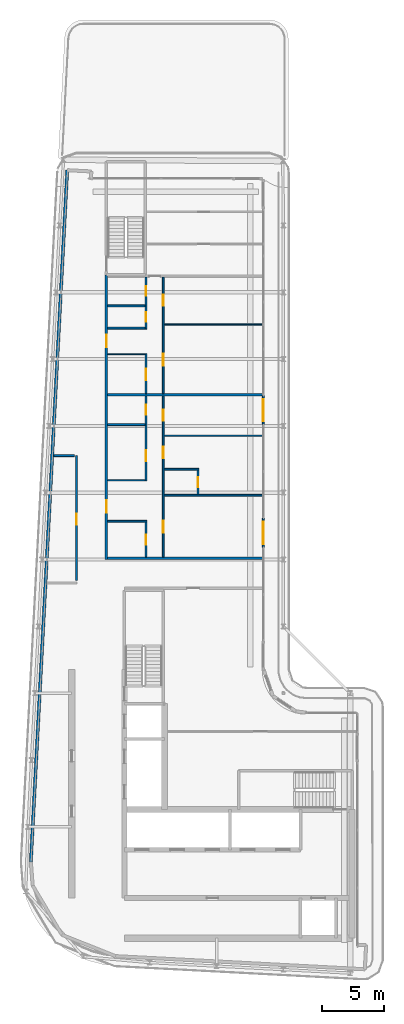
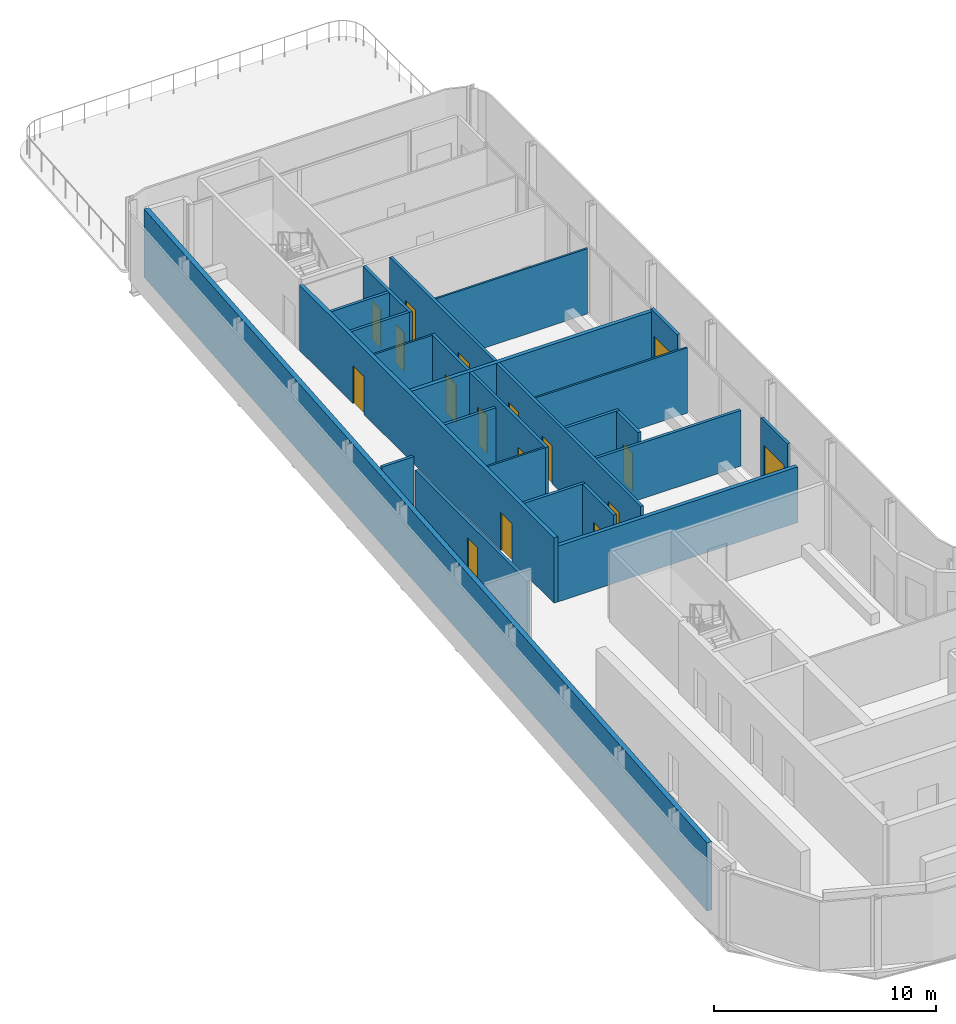
# One storey, part 10 of 15: 25 walls, 17 doors, 17 openings.
"""IFC4 building model written with IfcOpenShell, lengths in metres."""

from ifc_helpers import new_model, si_unit, direction, frame, frame_2d, origin, place, context, subcontext, project, spatial, rectangle, extrude, source, transform, mapped, material, layer, layer_set, type_object, element, fill, save


model = new_model("IFC4")

# Units and contexts
model_context = context("Model", 3, precision=1e-05, world=origin(), true_north=direction((0.0, 1.0)))
body_context = subcontext(model_context, "Body", "Model", "MODEL_VIEW")
ifc_project = project(units=[si_unit("LENGTHUNIT", "METRE"), si_unit("AREAUNIT", "SQUARE_METRE"), si_unit("VOLUMEUNIT", "CUBIC_METRE"), si_unit("PLANEANGLEUNIT", "RADIAN"), si_unit("MASSUNIT", "GRAM", prefix="KILO")], contexts=[model_context])

# Site, building, storey
site_placement = place(None, origin())
site = spatial("IfcSite", under=ifc_project, at=site_placement, CompositionType="ELEMENT")
building_placement = place(site_placement, origin())
building = spatial("IfcBuilding", under=site, at=building_placement, Name="Kheshtan School and Residences Tower", CompositionType="ELEMENT")
storey_placement = place(building_placement, frame((0.0, 0.0, 338.300048828125)))
storey = spatial("IfcBuildingStorey", under=building, at=storey_placement, Name="L79", CompositionType="ELEMENT", Elevation=338.300048828125)

# Wall, openings, doors
ifc_material_1 = material(Name="Gypsum board on steel studs with fire boards", Category="steel")
ifc_layer_1 = layer(ifc_material_1, 0.199951171875)
ifc_layer_set_1 = layer_set([ifc_layer_1], Name="Corridor wall 200")
wall_type_1 = type_object("IfcWallType", Name="Corridor wall 200", PredefinedType="PARTITIONING", material=ifc_layer_set_1)
wall_1_placement = place(storey_placement, frame((33.300048828125, 56.39990234375, 0.0), z_axis=(0.0, 0.0, 1.0), x_axis=(0.0, 1.0, 0.0)))
wall_1 = element("IfcWall", 1, at=wall_1_placement, inside=storey, type_object=wall_type_1, Name="Partition L79-001", PredefinedType="PARTITIONING", context=body_context, shape_type="SweptSolid", body=[
    extrude(rectangle(XDim=22.97509765625, YDim=0.199951171875, at=frame_2d((11.487548828125, 0.0))), origin(), (0.0, 0.0, 1.0), 3.599853515625),
])
opening_1_placement = place(wall_1_placement, frame((3.800048828125, 0.0, 0.0)))
opening_1 = element("IfcOpeningElement", 2, at=opening_1_placement, cuts=wall_1, Name="Opening D79-004", PredefinedType="OPENING", context=body_context, shape_type="SweptSolid", body=[
    extrude(rectangle(XDim=1.0, YDim=2.10009765625, at=frame_2d((0.5, 1.050048828125))), frame((0.0, 0.10986328125, 0.0), z_axis=(0.0, -1.0, 0.0), x_axis=(1.0, 0.0, 0.0)), (0.0, 0.0, 1.0), 0.219970703125),
])
opening_2_placement = place(wall_1_placement, frame((17.14990234375, 0.0, 0.0)))
opening_2 = element("IfcOpeningElement", 3, at=opening_2_placement, cuts=wall_1, Name="Opening D79-011", PredefinedType="OPENING", context=body_context, shape_type="SweptSolid", body=[
    extrude(rectangle(XDim=1.0, YDim=2.10009765625, at=frame_2d((0.5, 1.050048828125))), frame((0.0, 0.10986328125, 0.0), z_axis=(0.0, -1.0, 0.0), x_axis=(1.0, 0.0, 0.0)), (0.0, 0.0, 1.0), 0.219970703125),
])
ifc_material_2 = material(Name="Steel-framed fire-resisting door leaf", Category="steel")
door_type_1 = type_object("IfcDoorType", Name="Fire door FD30S 1000 x 2100", OperationType="SINGLE_SWING_LEFT", PredefinedType="DOOR", material=ifc_material_2)
shared_shape_1 = source(origin(), body_context, "Body", "SweptSolid", [
    extrude(rectangle(XDim=1.0, YDim=2.10009765625, at=frame_2d((0.5, 1.050048828125))), frame((0.0, 0.02490234375, 0.0), z_axis=(0.0, -1.0, 0.0), x_axis=(1.0, 0.0, 0.0)), (0.0, 0.0, 1.0), 0.050048828125),
])
door_1_placement = place(opening_1_placement, origin())
door_1 = element("IfcDoor", 4, at=door_1_placement, inside=storey, type_object=door_type_1, Name="Door D79-004", OperationType="SINGLE_SWING_RIGHT", OverallHeight=2.10009765625, OverallWidth=1.0, PredefinedType="DOOR", context=body_context, shape_type="MappedRepresentation", body=[
    mapped(shared_shape_1, transform((0.0, 0.0, 0.0), x_axis=(1.0, 0.0, 0.0), y_axis=(0.0, 1.0, 0.0), z_axis=(0.0, 0.0, 1.0), scale=1.0)),
])
fill(opening_1, door_1)
door_2_placement = place(opening_2_placement, origin())
door_2 = element("IfcDoor", 5, at=door_2_placement, inside=storey, type_object=door_type_1, Name="Door D79-011", OperationType="SINGLE_SWING_LEFT", OverallHeight=2.10009765625, OverallWidth=1.0, PredefinedType="DOOR", context=body_context, shape_type="MappedRepresentation", body=[
    mapped(shared_shape_1, transform((0.0, 0.0, 0.0), x_axis=(1.0, 0.0, 0.0), y_axis=(0.0, 1.0, 0.0), z_axis=(0.0, 0.0, 1.0), scale=1.0)),
])
fill(opening_2, door_2)

# Walls
wall_2_placement = place(storey_placement, frame((33.39990234375, 56.5, 0.0), z_axis=(0.0, 0.0, 1.0), x_axis=(1.0, 0.0, 0.0)))
element("IfcWall", 6, at=wall_2_placement, inside=storey, type_object=wall_type_1, Name="Partition L79-002", PredefinedType="PARTITIONING", context=body_context, shape_type="SweptSolid", body=[
    extrude(rectangle(XDim=12.5, YDim=0.199951171875, at=frame_2d((6.25, 0.0))), origin(), (0.0, 0.0, 1.0), 3.072021484375),
])
ifc_material_3 = material(Name="Concrete C40/50 with ceramic cladding and mineral wool insulation", Category="concrete")
ifc_layer_2 = layer(ifc_material_3, 0.25)
ifc_layer_set_2 = layer_set([ifc_layer_2], Name="External wall 250 ceramic clad")
wall_type_2 = type_object("IfcWallType", Name="External wall 250 ceramic clad", PredefinedType="SOLIDWALL", material=ifc_layer_set_2)
wall_3_placement = place(storey_placement, frame((27.195068359375, 31.968994140625, 0.0), z_axis=(0.0, 0.0, 1.0), x_axis=(0.052559748861, 0.998617781135, 0.0)))
element("IfcWall", 7, at=wall_3_placement, inside=storey, type_object=wall_type_2, Name="External wall L79 16", PredefinedType="SOLIDWALL", context=body_context, shape_type="SweptSolid", body=[
    extrude(rectangle(XDim=55.972412109375, YDim=0.25, at=frame_2d((27.986328125, 0.0))), origin(), (0.0, 0.0, 1.0), 3.75),
])

# Wall, opening, door
ifc_material_4 = material(Name="Aluminium frame wall with insulated infill", Category="aluminium")
ifc_layer_3 = layer(ifc_material_4, 0.14990234375)
ifc_layer_set_3 = layer_set([ifc_layer_3], Name="Glazing frame wall 150")
wall_type_3 = type_object("IfcWallType", Name="Glazing frame wall 150", PredefinedType="SOLIDWALL", material=ifc_layer_set_3)
wall_4_placement = place(storey_placement, frame((45.97509765625, 69.6650390625, 0.0), z_axis=(0.0, 0.0, 1.0), x_axis=(0.0, -1.0, 0.0)))
wall_4 = element("IfcWall", 8, at=wall_4_placement, inside=storey, type_object=wall_type_3, Name="Balcony door wall L79 4.2", PredefinedType="SOLIDWALL", context=body_context, shape_type="SweptSolid", body=[
    extrude(rectangle(XDim=2.400146484375, YDim=0.14990234375, at=frame_2d((1.2001953125, 0.0))), origin(), (0.0, 0.0, 1.0), 3.75),
])
opening_3_placement = place(wall_4_placement, frame((0.300048828125, 0.0, 0.0)))
opening_3 = element("IfcOpeningElement", 9, at=opening_3_placement, cuts=wall_4, Name="Opening BD", PredefinedType="OPENING", context=body_context, shape_type="SweptSolid", body=[
    extrude(rectangle(XDim=1.800048828125, YDim=2.39990234375, at=frame_2d((0.89990234375, 1.199951171875))), frame((0.0, 0.0849609375, 0.0), z_axis=(0.0, -1.0, 0.0), x_axis=(1.0, 0.0, 0.0)), (0.0, 0.0, 1.0), 0.169921875),
])
ifc_material_5 = material(Name="Clear low-e glass in thermally broken aluminium frame", Category="aluminium")
door_type_2 = type_object("IfcDoorType", Name="Balcony sliding door", OperationType="SLIDING_TO_LEFT", PredefinedType="DOOR", material=ifc_material_5)
shared_shape_2 = source(origin(), body_context, "Body", "SweptSolid", [
    extrude(rectangle(XDim=1.800048828125, YDim=2.39990234375, at=frame_2d((0.89990234375, 1.199951171875))), frame((0.0, 0.02490234375, 0.0), z_axis=(0.0, -1.0, 0.0), x_axis=(1.0, 0.0, 0.0)), (0.0, 0.0, 1.0), 0.050048828125),
])
door_3_placement = place(opening_3_placement, origin())
door_3 = element("IfcDoor", 10, at=door_3_placement, inside=storey, type_object=door_type_2, Name="Balcony door L79 4.2", OperationType="SLIDING_TO_LEFT", OverallHeight=2.39990234375, OverallWidth=1.800048828125, PredefinedType="DOOR", context=body_context, shape_type="MappedRepresentation", body=[
    mapped(shared_shape_2, transform((0.0, 0.0, 0.0), x_axis=(1.0, 0.0, 0.0), y_axis=(0.0, 1.0, 0.0), z_axis=(0.0, 0.0, 1.0), scale=1.0)),
])
fill(opening_3, door_3)

wall_5_placement = place(storey_placement, frame((45.97509765625, 59.748046875, 0.0), z_axis=(0.0, 0.0, 1.0), x_axis=(0.0, -1.0, 0.0)))
wall_5 = element("IfcWall", 11, at=wall_5_placement, inside=storey, type_object=wall_type_3, Name="Balcony door wall L79 4.3", PredefinedType="SOLIDWALL", context=body_context, shape_type="SweptSolid", body=[
    extrude(rectangle(XDim=2.401123046875, YDim=0.14990234375, at=frame_2d((1.20068359375, 0.0))), origin(), (0.0, 0.0, 1.0), 3.75),
])
opening_4_placement = place(wall_5_placement, frame((0.300048828125, 0.0, 0.0)))
opening_4 = element("IfcOpeningElement", 12, at=opening_4_placement, cuts=wall_5, Name="Opening BD", PredefinedType="OPENING", context=body_context, shape_type="SweptSolid", body=[
    extrude(rectangle(XDim=1.800048828125, YDim=2.39990234375, at=frame_2d((0.89990234375, 1.199951171875))), frame((0.0, 0.0849609375, 0.0), z_axis=(0.0, -1.0, 0.0), x_axis=(1.0, 0.0, 0.0)), (0.0, 0.0, 1.0), 0.169921875),
])
door_4_placement = place(opening_4_placement, origin())
door_4 = element("IfcDoor", 13, at=door_4_placement, inside=storey, type_object=door_type_2, Name="Balcony door L79 4.3", OperationType="SLIDING_TO_LEFT", OverallHeight=2.39990234375, OverallWidth=1.800048828125, PredefinedType="DOOR", context=body_context, shape_type="MappedRepresentation", body=[
    mapped(shared_shape_2, transform((0.0, 0.0, 0.0), x_axis=(1.0, 0.0, 0.0), y_axis=(0.0, 1.0, 0.0), z_axis=(0.0, 0.0, 1.0), scale=1.0)),
])
fill(opening_4, door_4)

# Walls
ifc_material_6 = material(Name="Gypsum board on steel studs", Category="steel")
ifc_layer_4 = layer(ifc_material_6, 0.10009765625)
ifc_layer_set_4 = layer_set([ifc_layer_4], Name="Gypsum partition 100")
wall_type_4 = type_object("IfcWallType", Name="Gypsum partition 100", PredefinedType="PARTITIONING", material=ifc_layer_set_4)
for number, where, z_axis, x_axis, name in (
    (14, (33.39990234375, 62.800048828125, 0.0), (0.0, 0.0, 1.0), (1.0, 0.0, 0.0), "Partition L79-004"),
    (15, (33.39990234375, 73.0, 0.0), (0.0, 0.0, 1.0), (1.0, 0.0, 0.0), "Partition L79-007"),
):
    element("IfcWall", number, at=place(storey_placement, frame(where, z_axis=z_axis, x_axis=x_axis)), inside=storey, type_object=wall_type_4, Name=name, PredefinedType="PARTITIONING", context=body_context, shape_type="SweptSolid", body=[
        extrude(rectangle(XDim=3.025146484375, YDim=0.10009765625, at=frame_2d((1.5126953125, 0.0))), origin(), (0.0, 0.0, 1.0), 3.599853515625),
    ])
for number, where, z_axis, x_axis, name in (
    (16, (37.97509765625, 66.39990234375, 0.0), (0.0, 0.0, 1.0), (1.0, 0.0, 0.0), "Partition L79-022"),
    (17, (37.97509765625, 75.39990234375, 0.0), (0.0, 0.0, 1.0), (1.0, 0.0, 0.0), "Partition L79-023"),
):
    element("IfcWall", number, at=place(storey_placement, frame(where, z_axis=z_axis, x_axis=x_axis)), inside=storey, type_object=wall_type_4, Name=name, PredefinedType="PARTITIONING", context=body_context, shape_type="SweptSolid", body=[
        extrude(rectangle(XDim=7.9248046875, YDim=0.10009765625, at=frame_2d((3.96240234375, 0.0))), origin(), (0.0, 0.0, 1.0), 3.599853515625),
    ])

# Wall, opening, door
ifc_material_7 = material(Name="Fire-board shaft wall system")
ifc_layer_5 = layer(ifc_material_7, 0.14990234375)
ifc_layer_set_5 = layer_set([ifc_layer_5], Name="Service room wall 150")
wall_type_5 = type_object("IfcWallType", Name="Service room wall 150", PredefinedType="PARTITIONING", material=ifc_layer_set_5)
wall_6_placement = place(storey_placement, frame((30.89990234375, 54.695068359375, 0.0), z_axis=(0.0, 0.0, 1.0), x_axis=(0.0, 1.0, 0.0)))
wall_6 = element("IfcWall", 18, at=wall_6_placement, inside=storey, type_object=wall_type_5, Name="Service room wall", PredefinedType="PARTITIONING", context=body_context, shape_type="SweptSolid", body=[
    extrude(rectangle(XDim=10.10498046875, YDim=0.14990234375, at=frame_2d((5.052490234375, 0.0))), origin(), (0.0, 0.0, 1.0), 3.072021484375),
])
opening_5_placement = place(wall_6_placement, frame((4.5048828125, 0.0, 0.0)))
opening_5 = element("IfcOpeningElement", 19, at=opening_5_placement, cuts=wall_6, Name="Opening SR90", PredefinedType="OPENING", context=body_context, shape_type="SweptSolid", body=[
    extrude(rectangle(XDim=0.89990234375, YDim=2.199951171875, at=frame_2d((0.449951171875, 1.10009765625))), frame((0.0, 0.0849609375, 0.0), z_axis=(0.0, -1.0, 0.0), x_axis=(1.0, 0.0, 0.0)), (0.0, 0.0, 1.0), 0.169921875),
])
ifc_material_8 = material(Name="Steel door leaf, galvanised", Category="steel")
door_type_3 = type_object("IfcDoorType", Name="Service room door 900 steel 90 min", OperationType="SINGLE_SWING_LEFT", PredefinedType="DOOR", material=ifc_material_8)
shared_shape_3 = source(origin(), body_context, "Body", "SweptSolid", [
    extrude(rectangle(XDim=0.89990234375, YDim=2.199951171875, at=frame_2d((0.449951171875, 1.10009765625))), frame((0.0, 0.02490234375, 0.0), z_axis=(0.0, -1.0, 0.0), x_axis=(1.0, 0.0, 0.0)), (0.0, 0.0, 1.0), 0.050048828125),
])
door_5_placement = place(opening_5_placement, origin())
door_5 = element("IfcDoor", 20, at=door_5_placement, inside=storey, type_object=door_type_3, Name="Service room door", OperationType="SINGLE_SWING_LEFT", OverallHeight=2.199951171875, OverallWidth=0.89990234375, PredefinedType="DOOR", context=body_context, shape_type="MappedRepresentation", body=[
    mapped(shared_shape_3, transform((0.0, 0.0, 0.0), x_axis=(1.0, 0.0, 0.0), y_axis=(0.0, 1.0, 0.0), z_axis=(0.0, 0.0, 1.0), scale=1.0)),
])
fill(opening_5, door_5)

# Walls
wall_7_placement = place(storey_placement, frame((29.051025390625, 64.800048828125, 0.0), z_axis=(0.0, 0.0, 1.0), x_axis=(1.0, 0.0, 0.0)))
element("IfcWall", 21, at=wall_7_placement, inside=storey, type_object=wall_type_5, Name="Service room wall", PredefinedType="PARTITIONING", context=body_context, shape_type="SweptSolid", body=[
    extrude(rectangle(XDim=1.654052734375, YDim=0.14990234375, at=frame_2d((0.8271484375, 0.0))), origin(), (0.0, 0.0, 1.0), 3.89990234375),
])
ifc_material_9 = material(Name="Twin gypsum board on steel studs with mineral wool", Category="steel")
ifc_layer_6 = layer(ifc_material_9, 0.199951171875)
ifc_layer_set_6 = layer_set([ifc_layer_6], Name="Unit demising wall 200")
wall_type_6 = type_object("IfcWallType", Name="Unit demising wall 200", PredefinedType="PARTITIONING", material=ifc_layer_set_6)
wall_8_placement = place(storey_placement, frame((33.39990234375, 69.699951171875, 0.0), z_axis=(0.0, 0.0, 1.0), x_axis=(1.0, 0.0, 0.0)))
element("IfcWall", 22, at=wall_8_placement, inside=storey, type_object=wall_type_6, Name="Partition L79-006", PredefinedType="PARTITIONING", context=body_context, shape_type="SweptSolid", body=[
    extrude(rectangle(XDim=12.5, YDim=0.199951171875, at=frame_2d((6.25, 0.0))), origin(), (0.0, 0.0, 1.0), 3.599853515625),
])
ifc_material_10 = material(Name="Moisture-resistant gypsum board on steel studs", Category="steel")
ifc_layer_7 = layer(ifc_material_10, 0.14990234375)
ifc_layer_set_7 = layer_set([ifc_layer_7], Name="Wet-room partition 150")
wall_type_7 = type_object("IfcWallType", Name="Wet-room partition 150", PredefinedType="PARTITIONING", material=ifc_layer_set_7)
wall_9_placement = place(storey_placement, frame((33.39990234375, 59.5, 0.0), z_axis=(0.0, 0.0, 1.0), x_axis=(1.0, 0.0, 0.0)))
element("IfcWall", 23, at=wall_9_placement, inside=storey, type_object=wall_type_7, Name="Partition L79-003", PredefinedType="PARTITIONING", context=body_context, shape_type="SweptSolid", body=[
    extrude(rectangle(XDim=3.175048828125, YDim=0.14990234375, at=frame_2d((1.58740234375, 0.0))), origin(), (0.0, 0.0, 1.0), 3.599853515625),
])
wall_10_placement = place(storey_placement, frame((33.39990234375, 67.300048828125, 0.0), z_axis=(0.0, 0.0, 1.0), x_axis=(1.0, 0.0, 0.0)))
element("IfcWall", 24, at=wall_10_placement, inside=storey, type_object=wall_type_7, Name="Partition L79-005", PredefinedType="PARTITIONING", context=body_context, shape_type="SweptSolid", body=[
    extrude(rectangle(XDim=3.025146484375, YDim=0.14990234375, at=frame_2d((1.5126953125, 0.0))), origin(), (0.0, 0.0, 1.0), 3.072021484375),
])
for number, where, z_axis, x_axis, name in (
    (25, (33.39990234375, 75.10009765625, 0.0), (0.0, 0.0, 1.0), (1.0, 0.0, 0.0), "Partition L79-008"),
    (26, (33.39990234375, 76.89990234375, 0.0), (0.0, 0.0, 1.0), (1.0, 0.0, 0.0), "Partition L79-009"),
):
    element("IfcWall", number, at=place(storey_placement, frame(where, z_axis=z_axis, x_axis=x_axis)), inside=storey, type_object=wall_type_7, Name=name, PredefinedType="PARTITIONING", context=body_context, shape_type="SweptSolid", body=[
        extrude(rectangle(XDim=3.025146484375, YDim=0.14990234375, at=frame_2d((1.5126953125, 0.0))), origin(), (0.0, 0.0, 1.0), 3.599853515625),
    ])

# Wall, opening, door
wall_11_placement = place(storey_placement, frame((36.5, 56.60009765625, 0.0), z_axis=(0.0, 0.0, 1.0), x_axis=(0.0, 1.0, 0.0)))
wall_11 = element("IfcWall", 27, at=wall_11_placement, inside=storey, type_object=wall_type_7, Name="Partition L79-012", PredefinedType="PARTITIONING", context=body_context, shape_type="SweptSolid", body=[
    extrude(rectangle(XDim=2.824951171875, YDim=0.14990234375, at=frame_2d((1.41259765625, 0.0))), origin(), (0.0, 0.0, 1.0), 3.599853515625),
])
opening_6_placement = place(wall_11_placement, frame((1.0, 0.0, 0.0)))
opening_6 = element("IfcOpeningElement", 28, at=opening_6_placement, cuts=wall_11, Name="Opening D79-001", PredefinedType="OPENING", context=body_context, shape_type="SweptSolid", body=[
    extrude(rectangle(XDim=0.800048828125, YDim=2.10009765625, at=frame_2d((0.39990234375, 1.050048828125))), frame((0.0, 0.0849609375, 0.0), z_axis=(0.0, -1.0, 0.0), x_axis=(1.0, 0.0, 0.0)), (0.0, 0.0, 1.0), 0.169921875),
])
ifc_material_11 = material(Name="Veneered timber door leaf", Category="wood")
door_type_4 = type_object("IfcDoorType", Name="Door 800 x 2100", OperationType="SINGLE_SWING_LEFT", PredefinedType="DOOR", material=ifc_material_11)
shared_shape_4 = source(origin(), body_context, "Body", "SweptSolid", [
    extrude(rectangle(XDim=0.800048828125, YDim=2.10009765625, at=frame_2d((0.39990234375, 1.050048828125))), frame((0.0, 0.02490234375, 0.0), z_axis=(0.0, -1.0, 0.0), x_axis=(1.0, 0.0, 0.0)), (0.0, 0.0, 1.0), 0.050048828125),
])
door_6_placement = place(opening_6_placement, origin())
door_6 = element("IfcDoor", 29, at=door_6_placement, inside=storey, type_object=door_type_4, Name="Door D79-001", OperationType="SINGLE_SWING_RIGHT", OverallHeight=2.10009765625, OverallWidth=0.800048828125, PredefinedType="DOOR", context=body_context, shape_type="MappedRepresentation", body=[
    mapped(shared_shape_4, transform((0.0, 0.0, 0.0), x_axis=(1.0, 0.0, 0.0), y_axis=(0.0, 1.0, 0.0), z_axis=(0.0, 0.0, 1.0), scale=1.0)),
])
fill(opening_6, door_6)

# Wall, openings, doors
wall_12_placement = place(storey_placement, frame((36.5, 62.75, 0.0), z_axis=(0.0, 0.0, 1.0), x_axis=(0.0, 1.0, 0.0)))
wall_12 = element("IfcWall", 30, at=wall_12_placement, inside=storey, type_object=wall_type_7, Name="Partition L79-013", PredefinedType="PARTITIONING", context=body_context, shape_type="SweptSolid", body=[
    extrude(rectangle(XDim=6.85009765625, YDim=0.14990234375, at=frame_2d((3.425048828125, 0.0))), origin(), (0.0, 0.0, 1.0), 3.599853515625),
])
opening_7_placement = place(wall_12_placement, frame((1.60009765625, 0.0, 0.0)))
opening_7 = element("IfcOpeningElement", 31, at=opening_7_placement, cuts=wall_12, Name="Opening D79-005", PredefinedType="OPENING", context=body_context, shape_type="SweptSolid", body=[
    extrude(rectangle(XDim=0.89990234375, YDim=2.10009765625, at=frame_2d((0.449951171875, 1.050048828125))), frame((0.0, 0.0849609375, 0.0), z_axis=(0.0, -1.0, 0.0), x_axis=(1.0, 0.0, 0.0)), (0.0, 0.0, 1.0), 0.169921875),
])
opening_8_placement = place(wall_12_placement, frame((5.35009765625, 0.0, 0.0)))
opening_8 = element("IfcOpeningElement", 32, at=opening_8_placement, cuts=wall_12, Name="Opening D79-008", PredefinedType="OPENING", context=body_context, shape_type="SweptSolid", body=[
    extrude(rectangle(XDim=0.800048828125, YDim=2.10009765625, at=frame_2d((0.39990234375, 1.050048828125))), frame((0.0, 0.0849609375, 0.0), z_axis=(0.0, -1.0, 0.0), x_axis=(1.0, 0.0, 0.0)), (0.0, 0.0, 1.0), 0.169921875),
])
door_7_placement = place(opening_8_placement, origin())
door_7 = element("IfcDoor", 33, at=door_7_placement, inside=storey, type_object=door_type_4, Name="Door D79-008", OperationType="SINGLE_SWING_RIGHT", OverallHeight=2.10009765625, OverallWidth=0.800048828125, PredefinedType="DOOR", context=body_context, shape_type="MappedRepresentation", body=[
    mapped(shared_shape_4, transform((0.0, 0.0, 0.0), x_axis=(1.0, 0.0, 0.0), y_axis=(0.0, 1.0, 0.0), z_axis=(0.0, 0.0, 1.0), scale=1.0)),
])
fill(opening_8, door_7)
door_type_5 = type_object("IfcDoorType", Name="Door 900 x 2100", OperationType="SINGLE_SWING_LEFT", PredefinedType="DOOR", material=ifc_material_11)
shared_shape_5 = source(origin(), body_context, "Body", "SweptSolid", [
    extrude(rectangle(XDim=0.89990234375, YDim=2.10009765625, at=frame_2d((0.449951171875, 1.050048828125))), frame((0.0, 0.02490234375, 0.0), z_axis=(0.0, -1.0, 0.0), x_axis=(1.0, 0.0, 0.0)), (0.0, 0.0, 1.0), 0.050048828125),
])
door_8_placement = place(opening_7_placement, origin())
door_8 = element("IfcDoor", 34, at=door_8_placement, inside=storey, type_object=door_type_5, Name="Door D79-005", OperationType="SINGLE_SWING_RIGHT", OverallHeight=2.10009765625, OverallWidth=0.89990234375, PredefinedType="DOOR", context=body_context, shape_type="MappedRepresentation", body=[
    mapped(shared_shape_5, transform((0.0, 0.0, 0.0), x_axis=(1.0, 0.0, 0.0), y_axis=(0.0, 1.0, 0.0), z_axis=(0.0, 0.0, 1.0), scale=1.0)),
])
fill(opening_7, door_8)

# Wall, opening, door
wall_13_placement = place(storey_placement, frame((36.5, 69.800048828125, 0.0), z_axis=(0.0, 0.0, 1.0), x_axis=(0.0, 1.0, 0.0)))
wall_13 = element("IfcWall", 35, at=wall_13_placement, inside=storey, type_object=wall_type_7, Name="Partition L79-014", PredefinedType="PARTITIONING", context=body_context, shape_type="SweptSolid", body=[
    extrude(rectangle(XDim=3.25, YDim=0.14990234375, at=frame_2d((1.625, 0.0))), origin(), (0.0, 0.0, 1.0), 3.599853515625),
])
opening_9_placement = place(wall_13_placement, frame((1.10009765625, 0.0, 0.0)))
opening_9 = element("IfcOpeningElement", 36, at=opening_9_placement, cuts=wall_13, Name="Opening D79-012", PredefinedType="OPENING", context=body_context, shape_type="SweptSolid", body=[
    extrude(rectangle(XDim=0.89990234375, YDim=2.10009765625, at=frame_2d((0.449951171875, 1.050048828125))), frame((0.0, 0.0849609375, 0.0), z_axis=(0.0, -1.0, 0.0), x_axis=(1.0, 0.0, 0.0)), (0.0, 0.0, 1.0), 0.169921875),
])
door_9_placement = place(opening_9_placement, origin())
door_9 = element("IfcDoor", 37, at=door_9_placement, inside=storey, type_object=door_type_5, Name="Door D79-012", OperationType="SINGLE_SWING_LEFT", OverallHeight=2.10009765625, OverallWidth=0.89990234375, PredefinedType="DOOR", context=body_context, shape_type="MappedRepresentation", body=[
    mapped(shared_shape_5, transform((0.0, 0.0, 0.0), x_axis=(1.0, 0.0, 0.0), y_axis=(0.0, 1.0, 0.0), z_axis=(0.0, 0.0, 1.0), scale=1.0)),
])
fill(opening_9, door_9)

# Wall, openings, doors
wall_14_placement = place(storey_placement, frame((36.5, 75.02490234375, 0.0), z_axis=(0.0, 0.0, 1.0), x_axis=(0.0, 1.0, 0.0)))
wall_14 = element("IfcWall", 38, at=wall_14_placement, inside=storey, type_object=wall_type_7, Name="Partition L79-015", PredefinedType="PARTITIONING", context=body_context, shape_type="SweptSolid", body=[
    extrude(rectangle(XDim=4.2001953125, YDim=0.14990234375, at=frame_2d((2.10009765625, 0.0))), origin(), (0.0, 0.0, 1.0), 3.599853515625),
])
opening_10_placement = place(wall_14_placement, frame((2.675048828125, 0.0, 0.0)))
opening_10 = element("IfcOpeningElement", 39, at=opening_10_placement, cuts=wall_14, Name="Opening D79-009", PredefinedType="OPENING", context=body_context, shape_type="SweptSolid", body=[
    extrude(rectangle(XDim=0.800048828125, YDim=2.10009765625, at=frame_2d((0.39990234375, 1.050048828125))), frame((0.0, 0.0849609375, 0.0), z_axis=(0.0, -1.0, 0.0), x_axis=(1.0, 0.0, 0.0)), (0.0, 0.0, 1.0), 0.169921875),
])
opening_11_placement = place(wall_14_placement, frame((0.574951171875, 0.0, 0.0)))
opening_11 = element("IfcOpeningElement", 40, at=opening_11_placement, cuts=wall_14, Name="Opening D79-014", PredefinedType="OPENING", context=body_context, shape_type="SweptSolid", body=[
    extrude(rectangle(XDim=0.800048828125, YDim=2.10009765625, at=frame_2d((0.39990234375, 1.050048828125))), frame((0.0, 0.0849609375, 0.0), z_axis=(0.0, -1.0, 0.0), x_axis=(1.0, 0.0, 0.0)), (0.0, 0.0, 1.0), 0.169921875),
])
door_10_placement = place(opening_10_placement, origin())
door_10 = element("IfcDoor", 41, at=door_10_placement, inside=storey, type_object=door_type_4, Name="Door D79-009", OperationType="SINGLE_SWING_LEFT", OverallHeight=2.10009765625, OverallWidth=0.800048828125, PredefinedType="DOOR", context=body_context, shape_type="MappedRepresentation", body=[
    mapped(shared_shape_4, transform((0.0, 0.0, 0.0), x_axis=(1.0, 0.0, 0.0), y_axis=(0.0, 1.0, 0.0), z_axis=(0.0, 0.0, 1.0), scale=1.0)),
])
fill(opening_10, door_10)
door_11_placement = place(opening_11_placement, origin())
door_11 = element("IfcDoor", 42, at=door_11_placement, inside=storey, type_object=door_type_4, Name="Door D79-014", OperationType="SINGLE_SWING_RIGHT", OverallHeight=2.10009765625, OverallWidth=0.800048828125, PredefinedType="DOOR", context=body_context, shape_type="MappedRepresentation", body=[
    mapped(shared_shape_4, transform((0.0, 0.0, 0.0), x_axis=(1.0, 0.0, 0.0), y_axis=(0.0, 1.0, 0.0), z_axis=(0.0, 0.0, 1.0), scale=1.0)),
])
fill(opening_11, door_11)

wall_15_placement = place(storey_placement, frame((37.89990234375, 56.60009765625, 0.0), z_axis=(0.0, 0.0, 1.0), x_axis=(0.0, 1.0, 0.0)))
wall_15 = element("IfcWall", 43, at=wall_15_placement, inside=storey, type_object=wall_type_7, Name="Partition L79-018", PredefinedType="PARTITIONING", context=body_context, shape_type="SweptSolid", body=[
    extrude(rectangle(XDim=13.0, YDim=0.14990234375, at=frame_2d((6.5, 0.0))), origin(), (0.0, 0.0, 1.0), 3.599853515625),
])
opening_12_placement = place(wall_15_placement, frame((11.0, 0.0, 0.0)))
opening_12 = element("IfcOpeningElement", 44, at=opening_12_placement, cuts=wall_15, Name="Opening D79-002", PredefinedType="OPENING", context=body_context, shape_type="SweptSolid", body=[
    extrude(rectangle(XDim=0.89990234375, YDim=2.10009765625, at=frame_2d((0.449951171875, 1.050048828125))), frame((0.0, 0.0849609375, 0.0), z_axis=(0.0, -1.0, 0.0), x_axis=(1.0, 0.0, 0.0)), (0.0, 0.0, 1.0), 0.169921875),
])
opening_13_placement = place(wall_15_placement, frame((1.949951171875, 0.0, 0.0)))
opening_13 = element("IfcOpeningElement", 45, at=opening_13_placement, cuts=wall_15, Name="Opening D79-006", PredefinedType="OPENING", context=body_context, shape_type="SweptSolid", body=[
    extrude(rectangle(XDim=1.0, YDim=2.10009765625, at=frame_2d((0.5, 1.050048828125))), frame((0.0, 0.0849609375, 0.0), z_axis=(0.0, -1.0, 0.0), x_axis=(1.0, 0.0, 0.0)), (0.0, 0.0, 1.0), 0.169921875),
])
opening_14_placement = place(wall_15_placement, frame((8.0, 0.0, 0.0)))
opening_14 = element("IfcOpeningElement", 46, at=opening_14_placement, cuts=wall_15, Name="Opening D79-007", PredefinedType="OPENING", context=body_context, shape_type="SweptSolid", body=[
    extrude(rectangle(XDim=0.89990234375, YDim=2.10009765625, at=frame_2d((0.449951171875, 1.050048828125))), frame((0.0, 0.0849609375, 0.0), z_axis=(0.0, -1.0, 0.0), x_axis=(1.0, 0.0, 0.0)), (0.0, 0.0, 1.0), 0.169921875),
])
door_type_6 = type_object("IfcDoorType", Name="Door 1000 x 2100", OperationType="SINGLE_SWING_LEFT", PredefinedType="DOOR", material=ifc_material_11)
shared_shape_6 = source(origin(), body_context, "Body", "SweptSolid", [
    extrude(rectangle(XDim=1.0, YDim=2.10009765625, at=frame_2d((0.5, 1.050048828125))), frame((0.0, 0.02490234375, 0.0), z_axis=(0.0, -1.0, 0.0), x_axis=(1.0, 0.0, 0.0)), (0.0, 0.0, 1.0), 0.050048828125),
])
door_12_placement = place(opening_13_placement, origin())
door_12 = element("IfcDoor", 47, at=door_12_placement, inside=storey, type_object=door_type_6, Name="Door D79-006", OperationType="SINGLE_SWING_RIGHT", OverallHeight=2.10009765625, OverallWidth=1.0, PredefinedType="DOOR", context=body_context, shape_type="MappedRepresentation", body=[
    mapped(shared_shape_6, transform((0.0, 0.0, 0.0), x_axis=(1.0, 0.0, 0.0), y_axis=(0.0, 1.0, 0.0), z_axis=(0.0, 0.0, 1.0), scale=1.0)),
])
fill(opening_13, door_12)
door_13_placement = place(opening_12_placement, origin())
door_13 = element("IfcDoor", 48, at=door_13_placement, inside=storey, type_object=door_type_5, Name="Door D79-002", OperationType="SINGLE_SWING_LEFT", OverallHeight=2.10009765625, OverallWidth=0.89990234375, PredefinedType="DOOR", context=body_context, shape_type="MappedRepresentation", body=[
    mapped(shared_shape_5, transform((0.0, 0.0, 0.0), x_axis=(1.0, 0.0, 0.0), y_axis=(0.0, 1.0, 0.0), z_axis=(0.0, 0.0, 1.0), scale=1.0)),
])
fill(opening_12, door_13)
door_14_placement = place(opening_14_placement, origin())
door_14 = element("IfcDoor", 49, at=door_14_placement, inside=storey, type_object=door_type_5, Name="Door D79-007", OperationType="SINGLE_SWING_RIGHT", OverallHeight=2.10009765625, OverallWidth=0.89990234375, PredefinedType="DOOR", context=body_context, shape_type="MappedRepresentation", body=[
    mapped(shared_shape_5, transform((0.0, 0.0, 0.0), x_axis=(1.0, 0.0, 0.0), y_axis=(0.0, 1.0, 0.0), z_axis=(0.0, 0.0, 1.0), scale=1.0)),
])
fill(opening_14, door_14)

wall_16_placement = place(storey_placement, frame((37.89990234375, 69.800048828125, 0.0), z_axis=(0.0, 0.0, 1.0), x_axis=(0.0, 1.0, 0.0)))
wall_16 = element("IfcWall", 50, at=wall_16_placement, inside=storey, type_object=wall_type_7, Name="Partition L79-019", PredefinedType="PARTITIONING", context=body_context, shape_type="SweptSolid", body=[
    extrude(rectangle(XDim=9.425048828125, YDim=0.14990234375, at=frame_2d((4.71240234375, 0.0))), origin(), (0.0, 0.0, 1.0), 3.599853515625),
])
opening_15_placement = place(wall_16_placement, frame((7.10009765625, 0.0, 0.0)))
opening_15 = element("IfcOpeningElement", 51, at=opening_15_placement, cuts=wall_16, Name="Opening D79-010", PredefinedType="OPENING", context=body_context, shape_type="SweptSolid", body=[
    extrude(rectangle(XDim=0.89990234375, YDim=2.10009765625, at=frame_2d((0.449951171875, 1.050048828125))), frame((0.0, 0.0849609375, 0.0), z_axis=(0.0, -1.0, 0.0), x_axis=(1.0, 0.0, 0.0)), (0.0, 0.0, 1.0), 0.169921875),
])
opening_16_placement = place(wall_16_placement, frame((2.25, 0.0, 0.0)))
opening_16 = element("IfcOpeningElement", 52, at=opening_16_placement, cuts=wall_16, Name="Opening D79-013", PredefinedType="OPENING", context=body_context, shape_type="SweptSolid", body=[
    extrude(rectangle(XDim=1.0, YDim=2.10009765625, at=frame_2d((0.5, 1.050048828125))), frame((0.0, 0.0849609375, 0.0), z_axis=(0.0, -1.0, 0.0), x_axis=(1.0, 0.0, 0.0)), (0.0, 0.0, 1.0), 0.169921875),
])
door_15_placement = place(opening_16_placement, origin())
door_15 = element("IfcDoor", 53, at=door_15_placement, inside=storey, type_object=door_type_6, Name="Door D79-013", OperationType="SINGLE_SWING_RIGHT", OverallHeight=2.10009765625, OverallWidth=1.0, PredefinedType="DOOR", context=body_context, shape_type="MappedRepresentation", body=[
    mapped(shared_shape_6, transform((0.0, 0.0, 0.0), x_axis=(1.0, 0.0, 0.0), y_axis=(0.0, 1.0, 0.0), z_axis=(0.0, 0.0, 1.0), scale=1.0)),
])
fill(opening_16, door_15)
door_16_placement = place(opening_15_placement, origin())
door_16 = element("IfcDoor", 54, at=door_16_placement, inside=storey, type_object=door_type_5, Name="Door D79-010", OperationType="SINGLE_SWING_RIGHT", OverallHeight=2.10009765625, OverallWidth=0.89990234375, PredefinedType="DOOR", context=body_context, shape_type="MappedRepresentation", body=[
    mapped(shared_shape_5, transform((0.0, 0.0, 0.0), x_axis=(1.0, 0.0, 0.0), y_axis=(0.0, 1.0, 0.0), z_axis=(0.0, 0.0, 1.0), scale=1.0)),
])
fill(opening_15, door_16)

# Walls
wall_17_placement = place(storey_placement, frame((37.97509765625, 61.60009765625, 0.0), z_axis=(0.0, 0.0, 1.0), x_axis=(1.0, 0.0, 0.0)))
element("IfcWall", 55, at=wall_17_placement, inside=storey, type_object=wall_type_7, Name="Partition L79-020", PredefinedType="PARTITIONING", context=body_context, shape_type="SweptSolid", body=[
    extrude(rectangle(XDim=7.9248046875, YDim=0.14990234375, at=frame_2d((3.96240234375, 0.0))), origin(), (0.0, 0.0, 1.0), 3.072021484375),
])
wall_18_placement = place(storey_placement, frame((37.97509765625, 63.699951171875, 0.0), z_axis=(0.0, 0.0, 1.0), x_axis=(1.0, 0.0, 0.0)))
element("IfcWall", 56, at=wall_18_placement, inside=storey, type_object=wall_type_7, Name="Partition L79-021", PredefinedType="PARTITIONING", context=body_context, shape_type="SweptSolid", body=[
    extrude(rectangle(XDim=2.7998046875, YDim=0.14990234375, at=frame_2d((1.39990234375, 0.0))), origin(), (0.0, 0.0, 1.0), 3.599853515625),
])

# Wall, opening, door
wall_19_placement = place(storey_placement, frame((40.699951171875, 61.675048828125, 0.0), z_axis=(0.0, 0.0, 1.0), x_axis=(0.0, 1.0, 0.0)))
wall_19 = element("IfcWall", 57, at=wall_19_placement, inside=storey, type_object=wall_type_7, Name="Partition L79-025", PredefinedType="PARTITIONING", context=body_context, shape_type="SweptSolid", body=[
    extrude(rectangle(XDim=1.949951171875, YDim=0.14990234375, at=frame_2d((0.97509765625, 0.0))), origin(), (0.0, 0.0, 1.0), 3.599853515625),
])
opening_17_placement = place(wall_19_placement, frame((0.574951171875, 0.0, 0.0)))
opening_17 = element("IfcOpeningElement", 58, at=opening_17_placement, cuts=wall_19, Name="Opening D79-003", PredefinedType="OPENING", context=body_context, shape_type="SweptSolid", body=[
    extrude(rectangle(XDim=0.800048828125, YDim=2.10009765625, at=frame_2d((0.39990234375, 1.050048828125))), frame((0.0, 0.0849609375, 0.0), z_axis=(0.0, -1.0, 0.0), x_axis=(1.0, 0.0, 0.0)), (0.0, 0.0, 1.0), 0.169921875),
])
door_17_placement = place(opening_17_placement, origin())
door_17 = element("IfcDoor", 59, at=door_17_placement, inside=storey, type_object=door_type_4, Name="Door D79-003", OperationType="SINGLE_SWING_RIGHT", OverallHeight=2.10009765625, OverallWidth=0.800048828125, PredefinedType="DOOR", context=body_context, shape_type="MappedRepresentation", body=[
    mapped(shared_shape_4, transform((0.0, 0.0, 0.0), x_axis=(1.0, 0.0, 0.0), y_axis=(0.0, 1.0, 0.0), z_axis=(0.0, 0.0, 1.0), scale=1.0)),
])
fill(opening_17, door_17)

save(model, "model.ifc")
